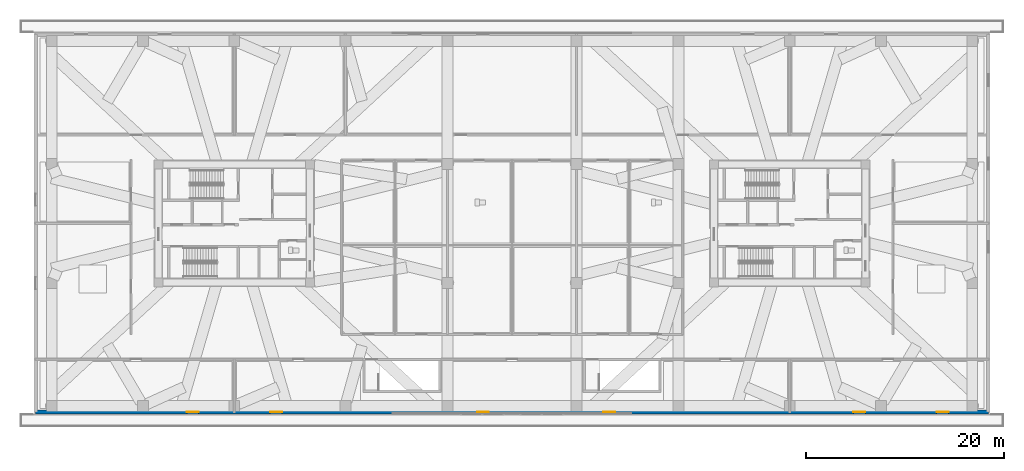
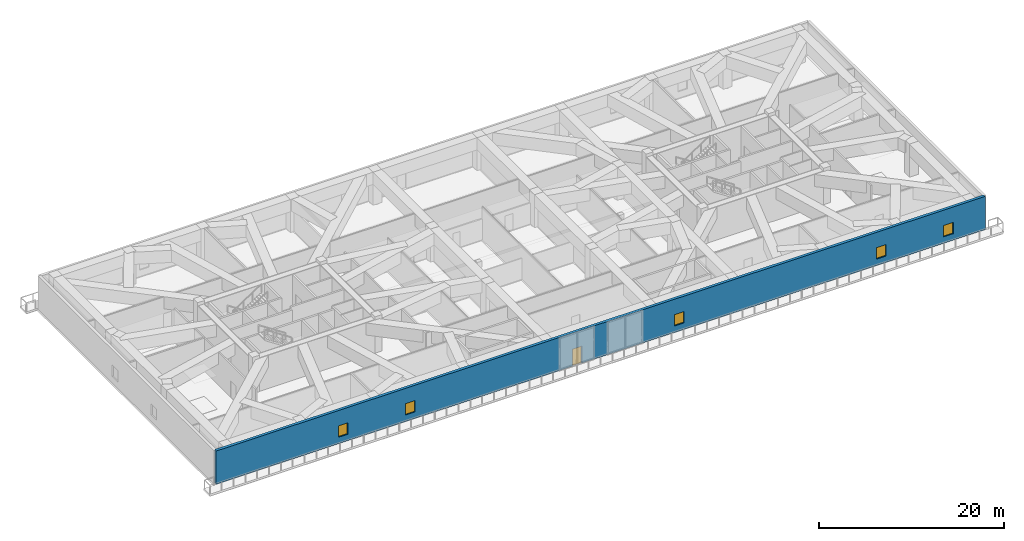
# One storey, part 7 of 21: 5 windows, 1 door, 1 wall, 6 openings.
"""IFC4 building model written with IfcOpenShell, lengths in metres."""

from ifc_helpers import new_model, si_unit, direction, frame, frame_2d, origin, place, context, subcontext, project, spatial, rectangle, extrude, source, transform, mapped, material, layer, layer_set, type_object, type_shapes, element, fill, save


model = new_model("IFC4")

# Units and contexts
model_context = context("Model", 3, precision=1e-05, world=origin(), true_north=direction((0.0, 1.0)))
body_context = subcontext(model_context, "Body", "Model", "MODEL_VIEW")
ifc_project = project(units=[si_unit("LENGTHUNIT", "METRE"), si_unit("AREAUNIT", "SQUARE_METRE"), si_unit("VOLUMEUNIT", "CUBIC_METRE"), si_unit("PLANEANGLEUNIT", "RADIAN"), si_unit("MASSUNIT", "GRAM", prefix="KILO")], contexts=[model_context])

# Site, building, storey
site_placement = place(None, origin())
site = spatial("IfcSite", under=ifc_project, at=site_placement, CompositionType="ELEMENT")
building_placement = place(site_placement, origin())
building = spatial("IfcBuilding", under=site, at=building_placement, Name="Norrkilde Senior Care Towers", CompositionType="ELEMENT")
storey_placement = place(building_placement, frame((0.0, 0.0, 16.800048828125)))
storey = spatial("IfcBuildingStorey", under=building, at=storey_placement, Name="L04", CompositionType="ELEMENT", Elevation=16.800048828125)

# Wall, openings, door, windows
ifc_material_1 = material(Name="Precast concrete C45/55", Category="concrete")
ifc_layer = layer(ifc_material_1, 0.360107421875)
ifc_layer_set = layer_set([ifc_layer], Name="Precast concrete C45/55")
wall_type = type_object("IfcWallType", Name="Podium Facade Wall 360", PredefinedType="SOLIDWALL", material=ifc_layer_set)
shared_shape_1 = source(origin(), body_context, "Body", "SweptSolid", [
    extrude(rectangle(XDim=96.0400390625, YDim=0.360107421875, at=frame_2d((48.02001953125, 0.0))), origin(), (0.0, 0.0, 1.0), 4.3798828125),
])
type_shapes(wall_type, [shared_shape_1])
wall_placement = place(storey_placement, frame((48.02001953125, -19.02001953125, 0.0), z_axis=(0.0, 0.0, 1.0), x_axis=(-1.0, 0.0, 0.0)))
wall = element("IfcWall", 1, at=wall_placement, inside=storey, type_object=wall_type, Name="L04 Podium S Facade Wall", PredefinedType="SOLIDWALL", context=body_context, shape_type="MappedRepresentation", body=[
    mapped(shared_shape_1, transform((0.0, 0.0, 0.0), x_axis=(1.0, 0.0, 0.0), y_axis=(0.0, 1.0, 0.0), z_axis=(0.0, 0.0, 1.0), scale=1.0)),
])
opening_1_placement = place(wall_placement, frame((50.3701171875, 0.0, 0.0)))
opening_1 = element("IfcOpeningElement", 2, at=opening_1_placement, cuts=wall, Name="Opening D-09", PredefinedType="OPENING", context=body_context, shape_type="SweptSolid", body=[
    extrude(rectangle(XDim=1.14990234375, YDim=2.25, at=frame_2d((0.574951171875, 1.125))), frame((0.0, 0.18994140625, 0.0), z_axis=(0.0, -1.0, 0.0), x_axis=(1.0, 0.0, 0.0)), (0.0, 0.0, 1.0), 0.380126953125),
])
opening_2_placement = place(wall_placement, frame((4.0, 0.0, 0.85009765625)))
opening_2 = element("IfcOpeningElement", 3, at=opening_2_placement, cuts=wall, Name="Opening WN-07", PredefinedType="OPENING", context=body_context, shape_type="SweptSolid", body=[
    extrude(rectangle(XDim=1.199951171875, YDim=1.5, at=frame_2d((0.60009765625, 0.75))), frame((0.0, 0.18994140625, 0.0), z_axis=(0.0, -1.0, 0.0), x_axis=(1.0, 0.0, 0.0)), (0.0, 0.0, 1.0), 0.380126953125),
])
opening_3_placement = place(wall_placement, frame((12.39990234375, 0.0, 0.85009765625)))
opening_3 = element("IfcOpeningElement", 4, at=opening_3_placement, cuts=wall, Name="Opening WN-07", PredefinedType="OPENING", context=body_context, shape_type="SweptSolid", body=[
    extrude(rectangle(XDim=1.199951171875, YDim=1.5, at=frame_2d((0.60009765625, 0.75))), frame((0.0, 0.18994140625, 0.0), z_axis=(0.0, -1.0, 0.0), x_axis=(1.0, 0.0, 0.0)), (0.0, 0.0, 1.0), 0.380126953125),
])
opening_4_placement = place(wall_placement, frame((37.60009765625, 0.0, 0.85009765625)))
opening_4 = element("IfcOpeningElement", 5, at=opening_4_placement, cuts=wall, Name="Opening WN-07", PredefinedType="OPENING", context=body_context, shape_type="SweptSolid", body=[
    extrude(rectangle(XDim=1.199951171875, YDim=1.5, at=frame_2d((0.60009765625, 0.75))), frame((0.0, 0.18994140625, 0.0), z_axis=(0.0, -1.0, 0.0), x_axis=(1.0, 0.0, 0.0)), (0.0, 0.0, 1.0), 0.380126953125),
])
opening_5_placement = place(wall_placement, frame((71.199951171875, 0.0, 0.85009765625)))
opening_5 = element("IfcOpeningElement", 6, at=opening_5_placement, cuts=wall, Name="Opening WN-07", PredefinedType="OPENING", context=body_context, shape_type="SweptSolid", body=[
    extrude(rectangle(XDim=1.199951171875, YDim=1.5, at=frame_2d((0.60009765625, 0.75))), frame((0.0, 0.18994140625, 0.0), z_axis=(0.0, -1.0, 0.0), x_axis=(1.0, 0.0, 0.0)), (0.0, 0.0, 1.0), 0.380126953125),
])
opening_6_placement = place(wall_placement, frame((79.60009765625, 0.0, 0.85009765625)))
opening_6 = element("IfcOpeningElement", 7, at=opening_6_placement, cuts=wall, Name="Opening WN-07", PredefinedType="OPENING", context=body_context, shape_type="SweptSolid", body=[
    extrude(rectangle(XDim=1.199951171875, YDim=1.5, at=frame_2d((0.60009765625, 0.75))), frame((0.0, 0.18994140625, 0.0), z_axis=(0.0, -1.0, 0.0), x_axis=(1.0, 0.0, 0.0)), (0.0, 0.0, 1.0), 0.380126953125),
])
ifc_material_2 = material(Name="Anodised Aluminium", Category="aluminium")
door_type = type_object("IfcDoorType", Name="Terrace and Balcony Glazed Door 1150x2250", OperationType="NOTDEFINED", PredefinedType="DOOR", material=ifc_material_2)
shared_shape_2 = source(origin(), body_context, "Body", "SweptSolid", [
    extrude(rectangle(XDim=1.14990234375, YDim=2.25, at=frame_2d((0.574951171875, 1.125))), frame((0.0, 0.02490234375, 0.0), z_axis=(0.0, -1.0, 0.0), x_axis=(1.0, 0.0, 0.0)), (0.0, 0.0, 1.0), 0.050048828125),
])
type_shapes(door_type, [shared_shape_2])
door_placement = place(opening_1_placement, origin())
door = element("IfcDoor", 8, at=door_placement, inside=storey, type_object=door_type, Name="L04 South Cascading Garden Terrace Door", OperationType="SINGLE_SWING_RIGHT", OverallHeight=2.25, OverallWidth=1.14990234375, PredefinedType="DOOR", context=body_context, shape_type="MappedRepresentation", body=[
    mapped(shared_shape_2, transform((0.0, 0.0, 0.0), x_axis=(1.0, 0.0, 0.0), y_axis=(0.0, 1.0, 0.0), z_axis=(0.0, 0.0, 1.0), scale=1.0)),
])
fill(opening_1, door)
ifc_material_3 = material(Name="Triple Low-E Insulated Glazing", Category="glass")
window_type = type_object("IfcWindowType", Name="Stairwell Smoke Vent Window 1200x1500", PartitioningType="SINGLE_PANEL", PredefinedType="WINDOW", material=ifc_material_3)
shared_shape_3 = source(origin(), body_context, "Body", "SweptSolid", [
    extrude(rectangle(XDim=1.199951171875, YDim=1.5, at=frame_2d((0.60009765625, 0.75))), frame((0.0, 0.030029296875, 0.0), z_axis=(0.0, -1.0, 0.0), x_axis=(1.0, 0.0, 0.0)), (0.0, 0.0, 1.0), 0.06005859375),
])
type_shapes(window_type, [shared_shape_3])
window_1_placement = place(opening_2_placement, origin())
window_1 = element("IfcWindow", 9, at=window_1_placement, inside=storey, type_object=window_type, Name="L04 S Window 01", OverallHeight=1.5, OverallWidth=1.199951171875, PartitioningType="SINGLE_PANEL", PredefinedType="WINDOW", context=body_context, shape_type="MappedRepresentation", body=[
    mapped(shared_shape_3, transform((0.0, 0.0, 0.0), x_axis=(1.0, 0.0, 0.0), y_axis=(0.0, 1.0, 0.0), z_axis=(0.0, 0.0, 1.0), scale=1.0)),
])
fill(opening_2, window_1)
window_2_placement = place(opening_3_placement, origin())
window_2 = element("IfcWindow", 10, at=window_2_placement, inside=storey, type_object=window_type, Name="L04 S Window 02", OverallHeight=1.5, OverallWidth=1.199951171875, PartitioningType="SINGLE_PANEL", PredefinedType="WINDOW", context=body_context, shape_type="MappedRepresentation", body=[
    mapped(shared_shape_3, transform((0.0, 0.0, 0.0), x_axis=(1.0, 0.0, 0.0), y_axis=(0.0, 1.0, 0.0), z_axis=(0.0, 0.0, 1.0), scale=1.0)),
])
fill(opening_3, window_2)
window_3_placement = place(opening_4_placement, origin())
window_3 = element("IfcWindow", 11, at=window_3_placement, inside=storey, type_object=window_type, Name="L04 S Window 05", OverallHeight=1.5, OverallWidth=1.199951171875, PartitioningType="SINGLE_PANEL", PredefinedType="WINDOW", context=body_context, shape_type="MappedRepresentation", body=[
    mapped(shared_shape_3, transform((0.0, 0.0, 0.0), x_axis=(1.0, 0.0, 0.0), y_axis=(0.0, 1.0, 0.0), z_axis=(0.0, 0.0, 1.0), scale=1.0)),
])
fill(opening_4, window_3)
window_4_placement = place(opening_5_placement, origin())
window_4 = element("IfcWindow", 12, at=window_4_placement, inside=storey, type_object=window_type, Name="L04 S Window 09", OverallHeight=1.5, OverallWidth=1.199951171875, PartitioningType="SINGLE_PANEL", PredefinedType="WINDOW", context=body_context, shape_type="MappedRepresentation", body=[
    mapped(shared_shape_3, transform((0.0, 0.0, 0.0), x_axis=(1.0, 0.0, 0.0), y_axis=(0.0, 1.0, 0.0), z_axis=(0.0, 0.0, 1.0), scale=1.0)),
])
fill(opening_5, window_4)
window_5_placement = place(opening_6_placement, origin())
window_5 = element("IfcWindow", 13, at=window_5_placement, inside=storey, type_object=window_type, Name="L04 S Window 10", OverallHeight=1.5, OverallWidth=1.199951171875, PartitioningType="SINGLE_PANEL", PredefinedType="WINDOW", context=body_context, shape_type="MappedRepresentation", body=[
    mapped(shared_shape_3, transform((0.0, 0.0, 0.0), x_axis=(1.0, 0.0, 0.0), y_axis=(0.0, 1.0, 0.0), z_axis=(0.0, 0.0, 1.0), scale=1.0)),
])
fill(opening_6, window_5)

save(model, "model.ifc")
